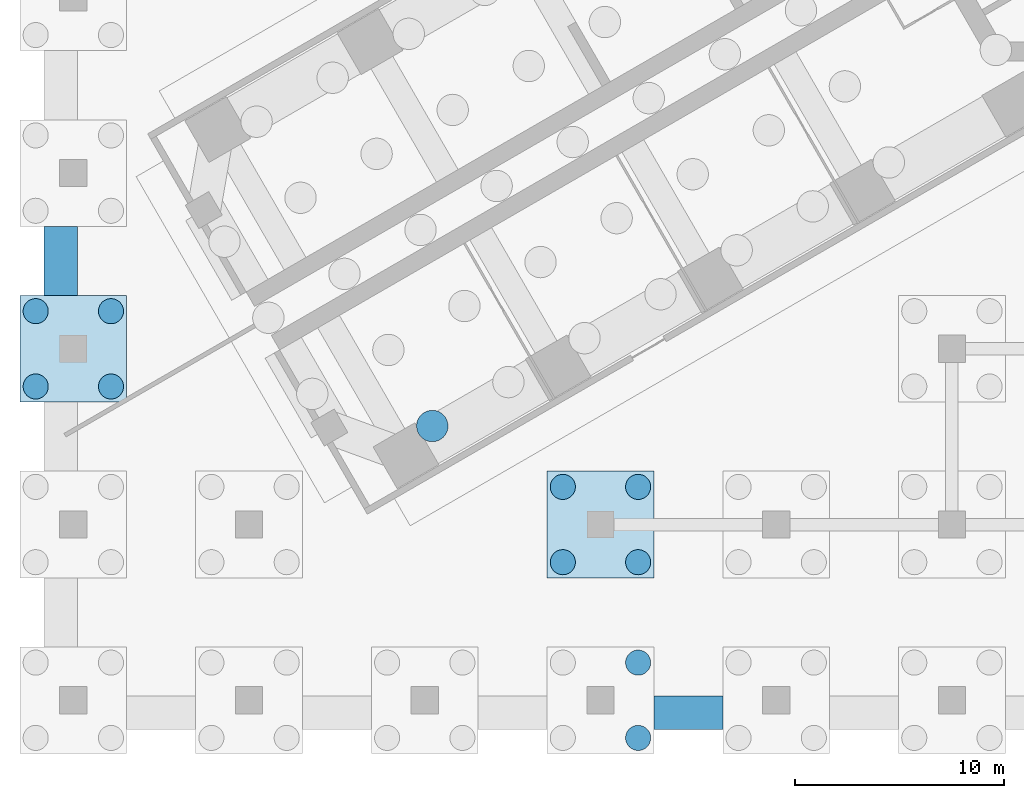
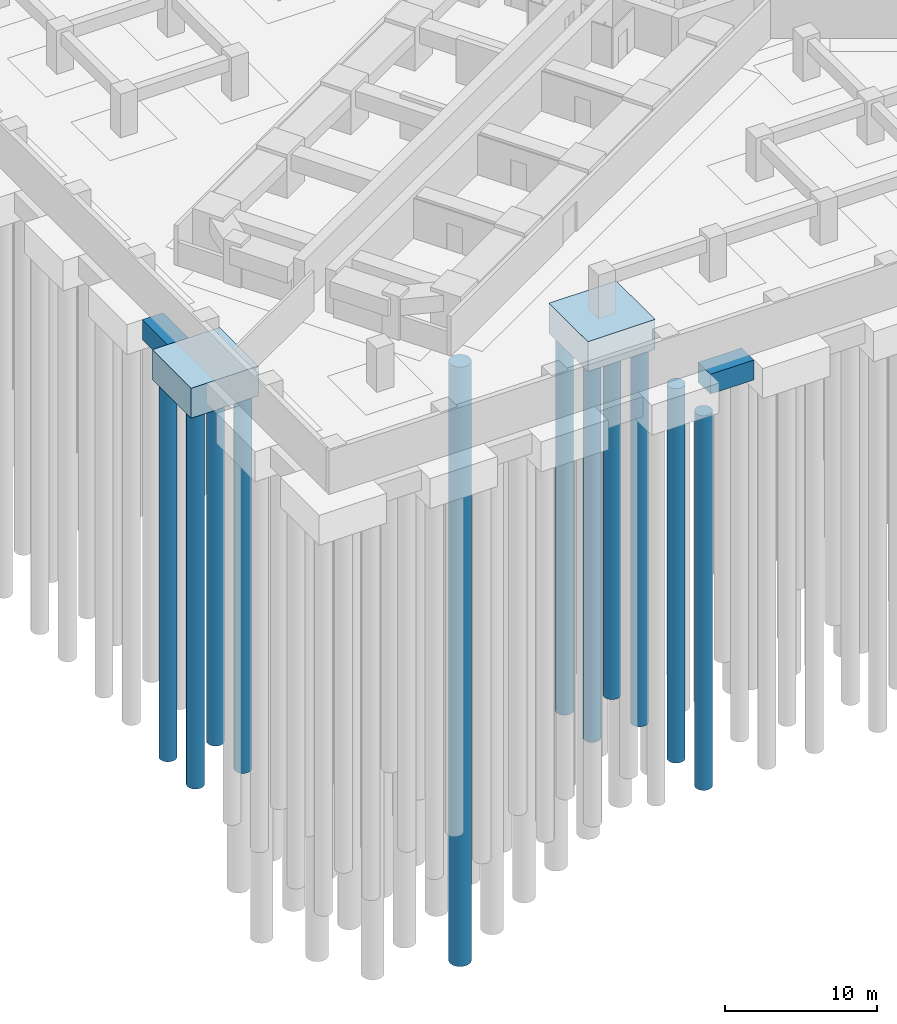
# One storey, part 3 of 73: 11 piles, 4 footings.
"""IFC4 building model written with IfcOpenShell, lengths in metres."""

from ifc_helpers import new_model, si_unit, direction, frame, origin, origin_2d, place, context, subcontext, project, spatial, polyline, circle, outline, extrude, material, material_profile, profile_set, type_object, element, save


model = new_model("IFC4")

# Units and contexts
model_context = context("Model", 3, precision=1e-05, world=origin(), true_north=direction((0.0, 1.0)))
body_context = subcontext(model_context, "Body", "Model", "MODEL_VIEW")
ifc_project = project(units=[si_unit("LENGTHUNIT", "METRE"), si_unit("AREAUNIT", "SQUARE_METRE"), si_unit("VOLUMEUNIT", "CUBIC_METRE"), si_unit("PLANEANGLEUNIT", "RADIAN"), si_unit("MASSUNIT", "GRAM", prefix="KILO")], contexts=[model_context])

# Site, building, storey
site_placement = place(None, origin())
site = spatial("IfcSite", under=ifc_project, at=site_placement, CompositionType="ELEMENT")
building_placement = place(site_placement, origin())
building = spatial("IfcBuilding", under=site, at=building_placement, Name="Impinga Residences", CompositionType="ELEMENT")
storey_placement = place(building_placement, frame((0.0, 0.0, -10.5)))
storey = spatial("IfcBuildingStorey", under=building, at=storey_placement, Name="B3", CompositionType="ELEMENT", Elevation=-10.5)

# Piles
ifc_material_1 = material(Name="Concrete C35/45", Category="concrete")
ifc_material_profile_1 = material_profile(ifc_material_1, circle(Radius=0.75, at=origin_2d()), Name="D1500")
ifc_profile_set_1 = profile_set([ifc_material_profile_1], Name="Concrete C35/45")
pile_type_1 = type_object("IfcPileType", Name="BP1 bored pile D1500", PredefinedType="BORED", material=ifc_profile_set_1)
pile_1_placement = place(storey_placement, frame((-33.239501953125, -28.890380859375, -4.0), z_axis=(0.0, 0.0, -1.0), x_axis=(1.0, 0.0, 0.0)))
element("IfcPile", 1, at=pile_1_placement, inside=storey, type_object=pile_type_1, Name="Raft pile BP1-001", PredefinedType="BORED", context=body_context, shape_type="SweptSolid", body=[
    extrude(outline(polyline([(0.75, 0.0), (0.746337890625, 0.073486328125), (0.735595703125, 0.146240234375), (0.7177734375, 0.2177734375), (0.69287109375, 0.287109375), (0.661376953125, 0.353515625), (0.62353515625, 0.416748046875), (0.579833984375, 0.475830078125), (0.5302734375, 0.5302734375), (0.475830078125, 0.579833984375), (0.416748046875, 0.62353515625), (0.353515625, 0.661376953125), (0.287109375, 0.69287109375), (0.2177734375, 0.7177734375), (0.146240234375, 0.735595703125), (0.073486328125, 0.746337890625), (0.0, 0.75), (-0.073486328125, 0.746337890625), (-0.146240234375, 0.735595703125), (-0.2177734375, 0.7177734375), (-0.287109375, 0.69287109375), (-0.353515625, 0.661376953125), (-0.416748046875, 0.62353515625), (-0.475830078125, 0.579833984375), (-0.5302734375, 0.5302734375), (-0.579833984375, 0.475830078125), (-0.62353515625, 0.416748046875), (-0.661376953125, 0.353515625), (-0.69287109375, 0.287109375), (-0.7177734375, 0.2177734375), (-0.735595703125, 0.146240234375), (-0.746337890625, 0.073486328125), (-0.75, 0.0), (-0.746337890625, -0.073486328125), (-0.735595703125, -0.146240234375), (-0.7177734375, -0.2177734375), (-0.69287109375, -0.287109375), (-0.661376953125, -0.353515625), (-0.62353515625, -0.416748046875), (-0.579833984375, -0.475830078125), (-0.5302734375, -0.5302734375), (-0.475830078125, -0.579833984375), (-0.416748046875, -0.62353515625), (-0.353515625, -0.661376953125), (-0.287109375, -0.69287109375), (-0.2177734375, -0.7177734375), (-0.146240234375, -0.735595703125), (-0.073486328125, -0.746337890625), (0.0, -0.75), (0.073486328125, -0.746337890625), (0.146240234375, -0.735595703125), (0.2177734375, -0.7177734375), (0.287109375, -0.69287109375), (0.353515625, -0.661376953125), (0.416748046875, -0.62353515625), (0.475830078125, -0.579833984375), (0.5302734375, -0.5302734375), (0.579833984375, -0.475830078125), (0.62353515625, -0.416748046875), (0.661376953125, -0.353515625), (0.69287109375, -0.287109375), (0.7177734375, -0.2177734375), (0.735595703125, -0.146240234375), (0.746337890625, -0.073486328125), (0.75, 0.0)])), origin(), (0.0, 0.0, 1.0), 48.0),
])
ifc_material_profile_2 = material_profile(ifc_material_1, circle(Radius=0.60009765625, at=origin_2d()), Name="D1200")
ifc_profile_set_2 = profile_set([ifc_material_profile_2], Name="Concrete C35/45")
pile_type_2 = type_object("IfcPileType", Name="BP2 bored pile D1200", PredefinedType="BORED", material=ifc_profile_set_2)
pile_2_placement = place(storey_placement, frame((-52.199951171875, -27.0, -2.39990234375), z_axis=(0.0, 0.0, -1.0), x_axis=(1.0, 0.0, 0.0)))
element("IfcPile", 2, at=pile_2_placement, inside=storey, type_object=pile_type_2, Name="Cap pile BP2 1/C-1", PredefinedType="BORED", context=body_context, shape_type="SweptSolid", body=[
    extrude(outline(polyline([(0.60009765625, 0.0), (0.59716796875, 0.058837890625), (0.58837890625, 0.116943359375), (0.57421875, 0.174072265625), (0.554443359375, 0.2294921875), (0.529052734375, 0.282958984375), (0.498779296875, 0.333251953125), (0.4638671875, 0.380615234375), (0.42431640625, 0.42431640625), (0.380615234375, 0.4638671875), (0.333251953125, 0.498779296875), (0.282958984375, 0.529052734375), (0.2294921875, 0.554443359375), (0.174072265625, 0.57421875), (0.116943359375, 0.58837890625), (0.058837890625, 0.59716796875), (0.0, 0.60009765625), (-0.058837890625, 0.59716796875), (-0.116943359375, 0.58837890625), (-0.174072265625, 0.57421875), (-0.2294921875, 0.554443359375), (-0.282958984375, 0.529052734375), (-0.333251953125, 0.498779296875), (-0.380615234375, 0.4638671875), (-0.42431640625, 0.42431640625), (-0.4638671875, 0.380615234375), (-0.498779296875, 0.333251953125), (-0.529052734375, 0.282958984375), (-0.554443359375, 0.2294921875), (-0.57421875, 0.174072265625), (-0.58837890625, 0.116943359375), (-0.59716796875, 0.058837890625), (-0.60009765625, 0.0), (-0.59716796875, -0.058837890625), (-0.58837890625, -0.116943359375), (-0.57421875, -0.174072265625), (-0.554443359375, -0.2294921875), (-0.529052734375, -0.282958984375), (-0.498779296875, -0.333251953125), (-0.4638671875, -0.380615234375), (-0.42431640625, -0.42431640625), (-0.380615234375, -0.4638671875), (-0.333251953125, -0.498779296875), (-0.282958984375, -0.529052734375), (-0.2294921875, -0.554443359375), (-0.174072265625, -0.57421875), (-0.116943359375, -0.58837890625), (-0.058837890625, -0.59716796875), (0.0, -0.60009765625), (0.058837890625, -0.59716796875), (0.116943359375, -0.58837890625), (0.174072265625, -0.57421875), (0.2294921875, -0.554443359375), (0.282958984375, -0.529052734375), (0.333251953125, -0.498779296875), (0.380615234375, -0.4638671875), (0.42431640625, -0.42431640625), (0.4638671875, -0.380615234375), (0.498779296875, -0.333251953125), (0.529052734375, -0.282958984375), (0.554443359375, -0.2294921875), (0.57421875, -0.174072265625), (0.58837890625, -0.116943359375), (0.59716796875, -0.058837890625), (0.60009765625, 0.0)])), origin(), (0.0, 0.0, 1.0), 30.0),
])
pile_3_placement = place(storey_placement, frame((-48.60009765625, -27.0, -2.39990234375), z_axis=(0.0, 0.0, -1.0), x_axis=(1.0, 0.0, 0.0)))
element("IfcPile", 3, at=pile_3_placement, inside=storey, type_object=pile_type_2, Name="Cap pile BP2 1/C-2", PredefinedType="BORED", context=body_context, shape_type="SweptSolid", body=[
    extrude(outline(polyline([(0.60009765625, 0.0), (0.59716796875, 0.058837890625), (0.58837890625, 0.116943359375), (0.57421875, 0.174072265625), (0.554443359375, 0.2294921875), (0.529052734375, 0.282958984375), (0.498779296875, 0.333251953125), (0.4638671875, 0.380615234375), (0.42431640625, 0.42431640625), (0.380615234375, 0.4638671875), (0.333251953125, 0.498779296875), (0.282958984375, 0.529052734375), (0.2294921875, 0.554443359375), (0.174072265625, 0.57421875), (0.116943359375, 0.58837890625), (0.058837890625, 0.59716796875), (0.0, 0.60009765625), (-0.058837890625, 0.59716796875), (-0.116943359375, 0.58837890625), (-0.174072265625, 0.57421875), (-0.2294921875, 0.554443359375), (-0.282958984375, 0.529052734375), (-0.333251953125, 0.498779296875), (-0.380615234375, 0.4638671875), (-0.42431640625, 0.42431640625), (-0.4638671875, 0.380615234375), (-0.498779296875, 0.333251953125), (-0.529052734375, 0.282958984375), (-0.554443359375, 0.2294921875), (-0.57421875, 0.174072265625), (-0.58837890625, 0.116943359375), (-0.59716796875, 0.058837890625), (-0.60009765625, 0.0), (-0.59716796875, -0.058837890625), (-0.58837890625, -0.116943359375), (-0.57421875, -0.174072265625), (-0.554443359375, -0.2294921875), (-0.529052734375, -0.282958984375), (-0.498779296875, -0.333251953125), (-0.4638671875, -0.380615234375), (-0.42431640625, -0.42431640625), (-0.380615234375, -0.4638671875), (-0.333251953125, -0.498779296875), (-0.282958984375, -0.529052734375), (-0.2294921875, -0.554443359375), (-0.174072265625, -0.57421875), (-0.116943359375, -0.58837890625), (-0.058837890625, -0.59716796875), (0.0, -0.60009765625), (0.058837890625, -0.59716796875), (0.116943359375, -0.58837890625), (0.174072265625, -0.57421875), (0.2294921875, -0.554443359375), (0.282958984375, -0.529052734375), (0.333251953125, -0.498779296875), (0.380615234375, -0.4638671875), (0.42431640625, -0.42431640625), (0.4638671875, -0.380615234375), (0.498779296875, -0.333251953125), (0.529052734375, -0.282958984375), (0.554443359375, -0.2294921875), (0.57421875, -0.174072265625), (0.58837890625, -0.116943359375), (0.59716796875, -0.058837890625), (0.60009765625, 0.0)])), origin(), (0.0, 0.0, 1.0), 30.0),
])
pile_4_placement = place(storey_placement, frame((-48.60009765625, -23.39990234375, -2.39990234375), z_axis=(0.0, 0.0, -1.0), x_axis=(1.0, 0.0, 0.0)))
element("IfcPile", 4, at=pile_4_placement, inside=storey, type_object=pile_type_2, Name="Cap pile BP2 1/C-3", PredefinedType="BORED", context=body_context, shape_type="SweptSolid", body=[
    extrude(outline(polyline([(0.60009765625, 0.0), (0.59716796875, 0.058837890625), (0.58837890625, 0.116943359375), (0.57421875, 0.174072265625), (0.554443359375, 0.2294921875), (0.529052734375, 0.282958984375), (0.498779296875, 0.333251953125), (0.4638671875, 0.380615234375), (0.42431640625, 0.42431640625), (0.380615234375, 0.4638671875), (0.333251953125, 0.498779296875), (0.282958984375, 0.529052734375), (0.2294921875, 0.554443359375), (0.174072265625, 0.57421875), (0.116943359375, 0.58837890625), (0.058837890625, 0.59716796875), (0.0, 0.60009765625), (-0.058837890625, 0.59716796875), (-0.116943359375, 0.58837890625), (-0.174072265625, 0.57421875), (-0.2294921875, 0.554443359375), (-0.282958984375, 0.529052734375), (-0.333251953125, 0.498779296875), (-0.380615234375, 0.4638671875), (-0.42431640625, 0.42431640625), (-0.4638671875, 0.380615234375), (-0.498779296875, 0.333251953125), (-0.529052734375, 0.282958984375), (-0.554443359375, 0.2294921875), (-0.57421875, 0.174072265625), (-0.58837890625, 0.116943359375), (-0.59716796875, 0.058837890625), (-0.60009765625, 0.0), (-0.59716796875, -0.058837890625), (-0.58837890625, -0.116943359375), (-0.57421875, -0.174072265625), (-0.554443359375, -0.2294921875), (-0.529052734375, -0.282958984375), (-0.498779296875, -0.333251953125), (-0.4638671875, -0.380615234375), (-0.42431640625, -0.42431640625), (-0.380615234375, -0.4638671875), (-0.333251953125, -0.498779296875), (-0.282958984375, -0.529052734375), (-0.2294921875, -0.554443359375), (-0.174072265625, -0.57421875), (-0.116943359375, -0.58837890625), (-0.058837890625, -0.59716796875), (0.0, -0.60009765625), (0.058837890625, -0.59716796875), (0.116943359375, -0.58837890625), (0.174072265625, -0.57421875), (0.2294921875, -0.554443359375), (0.282958984375, -0.529052734375), (0.333251953125, -0.498779296875), (0.380615234375, -0.4638671875), (0.42431640625, -0.42431640625), (0.4638671875, -0.380615234375), (0.498779296875, -0.333251953125), (0.529052734375, -0.282958984375), (0.554443359375, -0.2294921875), (0.57421875, -0.174072265625), (0.58837890625, -0.116943359375), (0.59716796875, -0.058837890625), (0.60009765625, 0.0)])), origin(), (0.0, 0.0, 1.0), 30.0),
])
pile_5_placement = place(storey_placement, frame((-52.199951171875, -23.39990234375, -2.39990234375), z_axis=(0.0, 0.0, -1.0), x_axis=(1.0, 0.0, 0.0)))
element("IfcPile", 5, at=pile_5_placement, inside=storey, type_object=pile_type_2, Name="Cap pile BP2 1/C-4", PredefinedType="BORED", context=body_context, shape_type="SweptSolid", body=[
    extrude(outline(polyline([(0.60009765625, 0.0), (0.59716796875, 0.058837890625), (0.58837890625, 0.116943359375), (0.57421875, 0.174072265625), (0.554443359375, 0.2294921875), (0.529052734375, 0.282958984375), (0.498779296875, 0.333251953125), (0.4638671875, 0.380615234375), (0.42431640625, 0.42431640625), (0.380615234375, 0.4638671875), (0.333251953125, 0.498779296875), (0.282958984375, 0.529052734375), (0.2294921875, 0.554443359375), (0.174072265625, 0.57421875), (0.116943359375, 0.58837890625), (0.058837890625, 0.59716796875), (0.0, 0.60009765625), (-0.058837890625, 0.59716796875), (-0.116943359375, 0.58837890625), (-0.174072265625, 0.57421875), (-0.2294921875, 0.554443359375), (-0.282958984375, 0.529052734375), (-0.333251953125, 0.498779296875), (-0.380615234375, 0.4638671875), (-0.42431640625, 0.42431640625), (-0.4638671875, 0.380615234375), (-0.498779296875, 0.333251953125), (-0.529052734375, 0.282958984375), (-0.554443359375, 0.2294921875), (-0.57421875, 0.174072265625), (-0.58837890625, 0.116943359375), (-0.59716796875, 0.058837890625), (-0.60009765625, 0.0), (-0.59716796875, -0.058837890625), (-0.58837890625, -0.116943359375), (-0.57421875, -0.174072265625), (-0.554443359375, -0.2294921875), (-0.529052734375, -0.282958984375), (-0.498779296875, -0.333251953125), (-0.4638671875, -0.380615234375), (-0.42431640625, -0.42431640625), (-0.380615234375, -0.4638671875), (-0.333251953125, -0.498779296875), (-0.282958984375, -0.529052734375), (-0.2294921875, -0.554443359375), (-0.174072265625, -0.57421875), (-0.116943359375, -0.58837890625), (-0.058837890625, -0.59716796875), (0.0, -0.60009765625), (0.058837890625, -0.59716796875), (0.116943359375, -0.58837890625), (0.174072265625, -0.57421875), (0.2294921875, -0.554443359375), (0.282958984375, -0.529052734375), (0.333251953125, -0.498779296875), (0.380615234375, -0.4638671875), (0.42431640625, -0.42431640625), (0.4638671875, -0.380615234375), (0.498779296875, -0.333251953125), (0.529052734375, -0.282958984375), (0.554443359375, -0.2294921875), (0.57421875, -0.174072265625), (0.58837890625, -0.116943359375), (0.59716796875, -0.058837890625), (0.60009765625, 0.0)])), origin(), (0.0, 0.0, 1.0), 30.0),
])
pile_6_placement = place(storey_placement, frame((-23.39990234375, -43.800048828125, -2.39990234375), z_axis=(0.0, 0.0, -1.0), x_axis=(1.0, 0.0, 0.0)))
element("IfcPile", 6, at=pile_6_placement, inside=storey, type_object=pile_type_2, Name="Cap pile BP2 4/A-2", PredefinedType="BORED", context=body_context, shape_type="SweptSolid", body=[
    extrude(outline(polyline([(0.60009765625, 0.0), (0.59716796875, 0.058837890625), (0.58837890625, 0.116943359375), (0.57421875, 0.174072265625), (0.554443359375, 0.2294921875), (0.529052734375, 0.282958984375), (0.498779296875, 0.333251953125), (0.4638671875, 0.380615234375), (0.42431640625, 0.42431640625), (0.380615234375, 0.4638671875), (0.333251953125, 0.498779296875), (0.282958984375, 0.529052734375), (0.2294921875, 0.554443359375), (0.174072265625, 0.57421875), (0.116943359375, 0.58837890625), (0.058837890625, 0.59716796875), (0.0, 0.60009765625), (-0.058837890625, 0.59716796875), (-0.116943359375, 0.58837890625), (-0.174072265625, 0.57421875), (-0.2294921875, 0.554443359375), (-0.282958984375, 0.529052734375), (-0.333251953125, 0.498779296875), (-0.380615234375, 0.4638671875), (-0.42431640625, 0.42431640625), (-0.4638671875, 0.380615234375), (-0.498779296875, 0.333251953125), (-0.529052734375, 0.282958984375), (-0.554443359375, 0.2294921875), (-0.57421875, 0.174072265625), (-0.58837890625, 0.116943359375), (-0.59716796875, 0.058837890625), (-0.60009765625, 0.0), (-0.59716796875, -0.058837890625), (-0.58837890625, -0.116943359375), (-0.57421875, -0.174072265625), (-0.554443359375, -0.2294921875), (-0.529052734375, -0.282958984375), (-0.498779296875, -0.333251953125), (-0.4638671875, -0.380615234375), (-0.42431640625, -0.42431640625), (-0.380615234375, -0.4638671875), (-0.333251953125, -0.498779296875), (-0.282958984375, -0.529052734375), (-0.2294921875, -0.554443359375), (-0.174072265625, -0.57421875), (-0.116943359375, -0.58837890625), (-0.058837890625, -0.59716796875), (0.0, -0.60009765625), (0.058837890625, -0.59716796875), (0.116943359375, -0.58837890625), (0.174072265625, -0.57421875), (0.2294921875, -0.554443359375), (0.282958984375, -0.529052734375), (0.333251953125, -0.498779296875), (0.380615234375, -0.4638671875), (0.42431640625, -0.42431640625), (0.4638671875, -0.380615234375), (0.498779296875, -0.333251953125), (0.529052734375, -0.282958984375), (0.554443359375, -0.2294921875), (0.57421875, -0.174072265625), (0.58837890625, -0.116943359375), (0.59716796875, -0.058837890625), (0.60009765625, 0.0)])), origin(), (0.0, 0.0, 1.0), 30.0),
])
pile_7_placement = place(storey_placement, frame((-23.39990234375, -40.199951171875, -2.39990234375), z_axis=(0.0, 0.0, -1.0), x_axis=(1.0, 0.0, 0.0)))
element("IfcPile", 7, at=pile_7_placement, inside=storey, type_object=pile_type_2, Name="Cap pile BP2 4/A-3", PredefinedType="BORED", context=body_context, shape_type="SweptSolid", body=[
    extrude(outline(polyline([(0.60009765625, 0.0), (0.59716796875, 0.058837890625), (0.58837890625, 0.116943359375), (0.57421875, 0.174072265625), (0.554443359375, 0.2294921875), (0.529052734375, 0.282958984375), (0.498779296875, 0.333251953125), (0.4638671875, 0.380615234375), (0.42431640625, 0.42431640625), (0.380615234375, 0.4638671875), (0.333251953125, 0.498779296875), (0.282958984375, 0.529052734375), (0.2294921875, 0.554443359375), (0.174072265625, 0.57421875), (0.116943359375, 0.58837890625), (0.058837890625, 0.59716796875), (0.0, 0.60009765625), (-0.058837890625, 0.59716796875), (-0.116943359375, 0.58837890625), (-0.174072265625, 0.57421875), (-0.2294921875, 0.554443359375), (-0.282958984375, 0.529052734375), (-0.333251953125, 0.498779296875), (-0.380615234375, 0.4638671875), (-0.42431640625, 0.42431640625), (-0.4638671875, 0.380615234375), (-0.498779296875, 0.333251953125), (-0.529052734375, 0.282958984375), (-0.554443359375, 0.2294921875), (-0.57421875, 0.174072265625), (-0.58837890625, 0.116943359375), (-0.59716796875, 0.058837890625), (-0.60009765625, 0.0), (-0.59716796875, -0.058837890625), (-0.58837890625, -0.116943359375), (-0.57421875, -0.174072265625), (-0.554443359375, -0.2294921875), (-0.529052734375, -0.282958984375), (-0.498779296875, -0.333251953125), (-0.4638671875, -0.380615234375), (-0.42431640625, -0.42431640625), (-0.380615234375, -0.4638671875), (-0.333251953125, -0.498779296875), (-0.282958984375, -0.529052734375), (-0.2294921875, -0.554443359375), (-0.174072265625, -0.57421875), (-0.116943359375, -0.58837890625), (-0.058837890625, -0.59716796875), (0.0, -0.60009765625), (0.058837890625, -0.59716796875), (0.116943359375, -0.58837890625), (0.174072265625, -0.57421875), (0.2294921875, -0.554443359375), (0.282958984375, -0.529052734375), (0.333251953125, -0.498779296875), (0.380615234375, -0.4638671875), (0.42431640625, -0.42431640625), (0.4638671875, -0.380615234375), (0.498779296875, -0.333251953125), (0.529052734375, -0.282958984375), (0.554443359375, -0.2294921875), (0.57421875, -0.174072265625), (0.58837890625, -0.116943359375), (0.59716796875, -0.058837890625), (0.60009765625, 0.0)])), origin(), (0.0, 0.0, 1.0), 30.0),
])
pile_8_placement = place(storey_placement, frame((-27.0, -35.39990234375, -2.39990234375), z_axis=(0.0, 0.0, -1.0), x_axis=(1.0, 0.0, 0.0)))
element("IfcPile", 8, at=pile_8_placement, inside=storey, type_object=pile_type_2, Name="Cap pile BP2 4/B-1", PredefinedType="BORED", context=body_context, shape_type="SweptSolid", body=[
    extrude(outline(polyline([(0.60009765625, 0.0), (0.59716796875, 0.058837890625), (0.58837890625, 0.116943359375), (0.57421875, 0.174072265625), (0.554443359375, 0.2294921875), (0.529052734375, 0.282958984375), (0.498779296875, 0.333251953125), (0.4638671875, 0.380615234375), (0.42431640625, 0.42431640625), (0.380615234375, 0.4638671875), (0.333251953125, 0.498779296875), (0.282958984375, 0.529052734375), (0.2294921875, 0.554443359375), (0.174072265625, 0.57421875), (0.116943359375, 0.58837890625), (0.058837890625, 0.59716796875), (0.0, 0.60009765625), (-0.058837890625, 0.59716796875), (-0.116943359375, 0.58837890625), (-0.174072265625, 0.57421875), (-0.2294921875, 0.554443359375), (-0.282958984375, 0.529052734375), (-0.333251953125, 0.498779296875), (-0.380615234375, 0.4638671875), (-0.42431640625, 0.42431640625), (-0.4638671875, 0.380615234375), (-0.498779296875, 0.333251953125), (-0.529052734375, 0.282958984375), (-0.554443359375, 0.2294921875), (-0.57421875, 0.174072265625), (-0.58837890625, 0.116943359375), (-0.59716796875, 0.058837890625), (-0.60009765625, 0.0), (-0.59716796875, -0.058837890625), (-0.58837890625, -0.116943359375), (-0.57421875, -0.174072265625), (-0.554443359375, -0.2294921875), (-0.529052734375, -0.282958984375), (-0.498779296875, -0.333251953125), (-0.4638671875, -0.380615234375), (-0.42431640625, -0.42431640625), (-0.380615234375, -0.4638671875), (-0.333251953125, -0.498779296875), (-0.282958984375, -0.529052734375), (-0.2294921875, -0.554443359375), (-0.174072265625, -0.57421875), (-0.116943359375, -0.58837890625), (-0.058837890625, -0.59716796875), (0.0, -0.60009765625), (0.058837890625, -0.59716796875), (0.116943359375, -0.58837890625), (0.174072265625, -0.57421875), (0.2294921875, -0.554443359375), (0.282958984375, -0.529052734375), (0.333251953125, -0.498779296875), (0.380615234375, -0.4638671875), (0.42431640625, -0.42431640625), (0.4638671875, -0.380615234375), (0.498779296875, -0.333251953125), (0.529052734375, -0.282958984375), (0.554443359375, -0.2294921875), (0.57421875, -0.174072265625), (0.58837890625, -0.116943359375), (0.59716796875, -0.058837890625), (0.60009765625, 0.0)])), origin(), (0.0, 0.0, 1.0), 30.0),
])
pile_9_placement = place(storey_placement, frame((-23.39990234375, -35.39990234375, -2.39990234375), z_axis=(0.0, 0.0, -1.0), x_axis=(1.0, 0.0, 0.0)))
element("IfcPile", 9, at=pile_9_placement, inside=storey, type_object=pile_type_2, Name="Cap pile BP2 4/B-2", PredefinedType="BORED", context=body_context, shape_type="SweptSolid", body=[
    extrude(outline(polyline([(0.60009765625, 0.0), (0.59716796875, 0.058837890625), (0.58837890625, 0.116943359375), (0.57421875, 0.174072265625), (0.554443359375, 0.2294921875), (0.529052734375, 0.282958984375), (0.498779296875, 0.333251953125), (0.4638671875, 0.380615234375), (0.42431640625, 0.42431640625), (0.380615234375, 0.4638671875), (0.333251953125, 0.498779296875), (0.282958984375, 0.529052734375), (0.2294921875, 0.554443359375), (0.174072265625, 0.57421875), (0.116943359375, 0.58837890625), (0.058837890625, 0.59716796875), (0.0, 0.60009765625), (-0.058837890625, 0.59716796875), (-0.116943359375, 0.58837890625), (-0.174072265625, 0.57421875), (-0.2294921875, 0.554443359375), (-0.282958984375, 0.529052734375), (-0.333251953125, 0.498779296875), (-0.380615234375, 0.4638671875), (-0.42431640625, 0.42431640625), (-0.4638671875, 0.380615234375), (-0.498779296875, 0.333251953125), (-0.529052734375, 0.282958984375), (-0.554443359375, 0.2294921875), (-0.57421875, 0.174072265625), (-0.58837890625, 0.116943359375), (-0.59716796875, 0.058837890625), (-0.60009765625, 0.0), (-0.59716796875, -0.058837890625), (-0.58837890625, -0.116943359375), (-0.57421875, -0.174072265625), (-0.554443359375, -0.2294921875), (-0.529052734375, -0.282958984375), (-0.498779296875, -0.333251953125), (-0.4638671875, -0.380615234375), (-0.42431640625, -0.42431640625), (-0.380615234375, -0.4638671875), (-0.333251953125, -0.498779296875), (-0.282958984375, -0.529052734375), (-0.2294921875, -0.554443359375), (-0.174072265625, -0.57421875), (-0.116943359375, -0.58837890625), (-0.058837890625, -0.59716796875), (0.0, -0.60009765625), (0.058837890625, -0.59716796875), (0.116943359375, -0.58837890625), (0.174072265625, -0.57421875), (0.2294921875, -0.554443359375), (0.282958984375, -0.529052734375), (0.333251953125, -0.498779296875), (0.380615234375, -0.4638671875), (0.42431640625, -0.42431640625), (0.4638671875, -0.380615234375), (0.498779296875, -0.333251953125), (0.529052734375, -0.282958984375), (0.554443359375, -0.2294921875), (0.57421875, -0.174072265625), (0.58837890625, -0.116943359375), (0.59716796875, -0.058837890625), (0.60009765625, 0.0)])), origin(), (0.0, 0.0, 1.0), 30.0),
])
pile_10_placement = place(storey_placement, frame((-23.39990234375, -31.800048828125, -2.39990234375), z_axis=(0.0, 0.0, -1.0), x_axis=(1.0, 0.0, 0.0)))
element("IfcPile", 10, at=pile_10_placement, inside=storey, type_object=pile_type_2, Name="Cap pile BP2 4/B-3", PredefinedType="BORED", context=body_context, shape_type="SweptSolid", body=[
    extrude(outline(polyline([(0.60009765625, 0.0), (0.59716796875, 0.058837890625), (0.58837890625, 0.116943359375), (0.57421875, 0.174072265625), (0.554443359375, 0.2294921875), (0.529052734375, 0.282958984375), (0.498779296875, 0.333251953125), (0.4638671875, 0.380615234375), (0.42431640625, 0.42431640625), (0.380615234375, 0.4638671875), (0.333251953125, 0.498779296875), (0.282958984375, 0.529052734375), (0.2294921875, 0.554443359375), (0.174072265625, 0.57421875), (0.116943359375, 0.58837890625), (0.058837890625, 0.59716796875), (0.0, 0.60009765625), (-0.058837890625, 0.59716796875), (-0.116943359375, 0.58837890625), (-0.174072265625, 0.57421875), (-0.2294921875, 0.554443359375), (-0.282958984375, 0.529052734375), (-0.333251953125, 0.498779296875), (-0.380615234375, 0.4638671875), (-0.42431640625, 0.42431640625), (-0.4638671875, 0.380615234375), (-0.498779296875, 0.333251953125), (-0.529052734375, 0.282958984375), (-0.554443359375, 0.2294921875), (-0.57421875, 0.174072265625), (-0.58837890625, 0.116943359375), (-0.59716796875, 0.058837890625), (-0.60009765625, 0.0), (-0.59716796875, -0.058837890625), (-0.58837890625, -0.116943359375), (-0.57421875, -0.174072265625), (-0.554443359375, -0.2294921875), (-0.529052734375, -0.282958984375), (-0.498779296875, -0.333251953125), (-0.4638671875, -0.380615234375), (-0.42431640625, -0.42431640625), (-0.380615234375, -0.4638671875), (-0.333251953125, -0.498779296875), (-0.282958984375, -0.529052734375), (-0.2294921875, -0.554443359375), (-0.174072265625, -0.57421875), (-0.116943359375, -0.58837890625), (-0.058837890625, -0.59716796875), (0.0, -0.60009765625), (0.058837890625, -0.59716796875), (0.116943359375, -0.58837890625), (0.174072265625, -0.57421875), (0.2294921875, -0.554443359375), (0.282958984375, -0.529052734375), (0.333251953125, -0.498779296875), (0.380615234375, -0.4638671875), (0.42431640625, -0.42431640625), (0.4638671875, -0.380615234375), (0.498779296875, -0.333251953125), (0.529052734375, -0.282958984375), (0.554443359375, -0.2294921875), (0.57421875, -0.174072265625), (0.58837890625, -0.116943359375), (0.59716796875, -0.058837890625), (0.60009765625, 0.0)])), origin(), (0.0, 0.0, 1.0), 30.0),
])
pile_11_placement = place(storey_placement, frame((-27.0, -31.800048828125, -2.39990234375), z_axis=(0.0, 0.0, -1.0), x_axis=(1.0, 0.0, 0.0)))
element("IfcPile", 11, at=pile_11_placement, inside=storey, type_object=pile_type_2, Name="Cap pile BP2 4/B-4", PredefinedType="BORED", context=body_context, shape_type="SweptSolid", body=[
    extrude(outline(polyline([(0.60009765625, 0.0), (0.59716796875, 0.058837890625), (0.58837890625, 0.116943359375), (0.57421875, 0.174072265625), (0.554443359375, 0.2294921875), (0.529052734375, 0.282958984375), (0.498779296875, 0.333251953125), (0.4638671875, 0.380615234375), (0.42431640625, 0.42431640625), (0.380615234375, 0.4638671875), (0.333251953125, 0.498779296875), (0.282958984375, 0.529052734375), (0.2294921875, 0.554443359375), (0.174072265625, 0.57421875), (0.116943359375, 0.58837890625), (0.058837890625, 0.59716796875), (0.0, 0.60009765625), (-0.058837890625, 0.59716796875), (-0.116943359375, 0.58837890625), (-0.174072265625, 0.57421875), (-0.2294921875, 0.554443359375), (-0.282958984375, 0.529052734375), (-0.333251953125, 0.498779296875), (-0.380615234375, 0.4638671875), (-0.42431640625, 0.42431640625), (-0.4638671875, 0.380615234375), (-0.498779296875, 0.333251953125), (-0.529052734375, 0.282958984375), (-0.554443359375, 0.2294921875), (-0.57421875, 0.174072265625), (-0.58837890625, 0.116943359375), (-0.59716796875, 0.058837890625), (-0.60009765625, 0.0), (-0.59716796875, -0.058837890625), (-0.58837890625, -0.116943359375), (-0.57421875, -0.174072265625), (-0.554443359375, -0.2294921875), (-0.529052734375, -0.282958984375), (-0.498779296875, -0.333251953125), (-0.4638671875, -0.380615234375), (-0.42431640625, -0.42431640625), (-0.380615234375, -0.4638671875), (-0.333251953125, -0.498779296875), (-0.282958984375, -0.529052734375), (-0.2294921875, -0.554443359375), (-0.174072265625, -0.57421875), (-0.116943359375, -0.58837890625), (-0.058837890625, -0.59716796875), (0.0, -0.60009765625), (0.058837890625, -0.59716796875), (0.116943359375, -0.58837890625), (0.174072265625, -0.57421875), (0.2294921875, -0.554443359375), (0.282958984375, -0.529052734375), (0.333251953125, -0.498779296875), (0.380615234375, -0.4638671875), (0.42431640625, -0.42431640625), (0.4638671875, -0.380615234375), (0.498779296875, -0.333251953125), (0.529052734375, -0.282958984375), (0.554443359375, -0.2294921875), (0.57421875, -0.174072265625), (0.58837890625, -0.116943359375), (0.59716796875, -0.058837890625), (0.60009765625, 0.0)])), origin(), (0.0, 0.0, 1.0), 30.0),
])

# Footings
ifc_material_2 = material(Name="Concrete C45/55", Category="concrete")
footing_type_1 = type_object("IfcFootingType", Name="PC4 four-pile cap 5100 square 2400 deep", PredefinedType="PILE_CAP", material=ifc_material_2)
footing_1_placement = place(storey_placement, frame((0.0, 0.0, -2.39990234375)))
element("IfcFooting", 12, at=footing_1_placement, inside=storey, type_object=footing_type_1, Name="Pile cap PC4 1/C", PredefinedType="PILE_CAP", context=body_context, shape_type="SweptSolid", body=[
    extrude(outline(polyline([(-47.85009765625, -27.75), (-47.85009765625, -22.64990234375), (-52.949951171875, -22.64990234375), (-52.949951171875, -27.75), (-47.85009765625, -27.75)])), origin(), (0.0, 0.0, 1.0), 2.39990234375),
])
footing_2_placement = place(storey_placement, frame((0.0, 0.0, -2.39990234375)))
element("IfcFooting", 13, at=footing_2_placement, inside=storey, type_object=footing_type_1, Name="Pile cap PC4 4/B", PredefinedType="PILE_CAP", context=body_context, shape_type="SweptSolid", body=[
    extrude(outline(polyline([(-22.64990234375, -36.14990234375), (-22.64990234375, -31.050048828125), (-27.75, -31.050048828125), (-27.75, -36.14990234375), (-22.64990234375, -36.14990234375)])), origin(), (0.0, 0.0, 1.0), 2.39990234375),
])
footing_type_2 = type_object("IfcFootingType", Name="SF1 strip footing 1600 wide 1600 deep", PredefinedType="STRIP_FOOTING", material=ifc_material_2)
footing_3_placement = place(storey_placement, frame((0.0, 0.0, -1.60009765625)))
element("IfcFooting", 14, at=footing_3_placement, inside=storey, type_object=footing_type_2, Name="Strip footing SF1 S 9", PredefinedType="STRIP_FOOTING", context=body_context, shape_type="SweptSolid", body=[
    extrude(outline(polyline([(-22.64990234375, -43.39990234375), (-22.64990234375, -41.800048828125), (-19.35009765625, -41.800048828125), (-19.35009765625, -43.39990234375), (-22.64990234375, -43.39990234375)])), origin(), (0.0, 0.0, 1.0), 1.60009765625),
])
footing_4_placement = place(storey_placement, frame((0.0, 0.0, -1.60009765625)))
element("IfcFooting", 15, at=footing_4_placement, inside=storey, type_object=footing_type_2, Name="Strip footing SF1 W 9", PredefinedType="STRIP_FOOTING", context=body_context, shape_type="SweptSolid", body=[
    extrude(outline(polyline([(-50.199951171875, -22.64990234375), (-51.800048828125, -22.64990234375), (-51.800048828125, -19.35009765625), (-50.199951171875, -19.35009765625), (-50.199951171875, -22.64990234375)])), origin(), (0.0, 0.0, 1.0), 1.60009765625),
])

save(model, "model.ifc")
